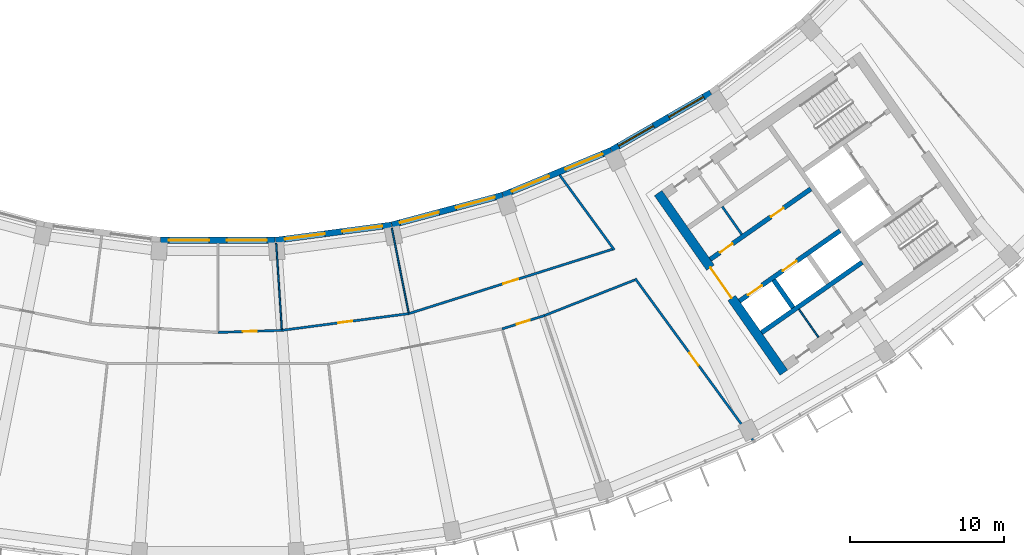
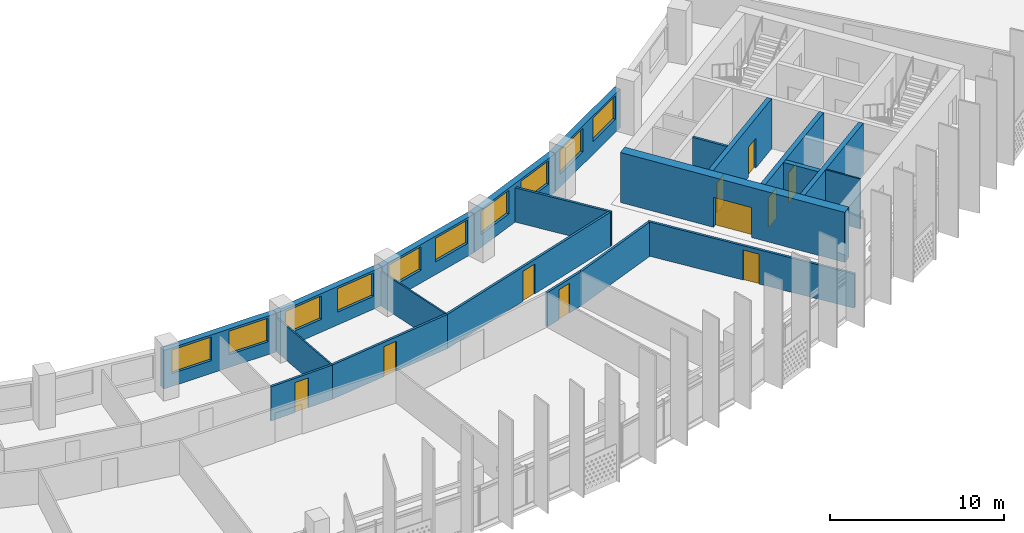
# One storey, part 6 of 28: 21 walls, 10 doors, 10 windows, 20 openings.
"""IFC4 building model written with IfcOpenShell, lengths in metres."""

from ifc_helpers import new_model, si_unit, direction, frame, frame_2d, origin, place, context, subcontext, project, spatial, rectangle, extrude, material, layer, layer_set, type_object, element, fill, save


model = new_model("IFC4")

# Units and contexts
model_context = context("Model", 3, precision=1e-05, world=origin(), true_north=direction((0.0, 1.0)))
body_context = subcontext(model_context, "Body", "Model", "MODEL_VIEW")
ifc_project = project(units=[si_unit("LENGTHUNIT", "METRE"), si_unit("AREAUNIT", "SQUARE_METRE"), si_unit("VOLUMEUNIT", "CUBIC_METRE"), si_unit("PLANEANGLEUNIT", "RADIAN"), si_unit("MASSUNIT", "GRAM", prefix="KILO")], contexts=[model_context])

# Site, building, storey
site_placement = place(None, origin())
site = spatial("IfcSite", under=ifc_project, at=site_placement, CompositionType="ELEMENT")
building_placement = place(site_placement, origin())
building = spatial("IfcBuilding", under=site, at=building_placement, Name="Qamariyya Broadcast Tower", CompositionType="ELEMENT")
storey_placement = place(building_placement, frame((0.0, 0.0, 241.699951171875)))
storey = spatial("IfcBuildingStorey", under=building, at=storey_placement, Name="L58", CompositionType="ELEMENT", Elevation=241.699951171875)

# Wall, opening, door
ifc_material_1 = material(Name="Concrete C60/75", Category="concrete")
ifc_layer_1 = layer(ifc_material_1, 0.60009765625)
ifc_layer_set_1 = layer_set([ifc_layer_1], Name="Core wall 600 mm Concrete C60/75")
wall_type_1 = type_object("IfcWallType", Name="Core wall 600 mm Concrete C60/75", PredefinedType="SHEAR", material=ifc_layer_set_1)
wall_1_placement = place(storey_placement, frame((36.66748046875, -66.005126953125, 0.0), z_axis=(0.0, 0.0, 1.0), x_axis=(-0.573568499524, 0.819157601658, 0.0)))
wall_1 = element("IfcWall", 1, at=wall_1_placement, inside=storey, type_object=wall_type_1, Name="k-E-L58-WA", PredefinedType="SHEAR", context=body_context, shape_type="SweptSolid", body=[
    extrude(rectangle(XDim=14.19970703125, YDim=0.60009765625, at=frame_2d((7.099853515625, 0.0))), origin(), (0.0, 0.0, 1.0), 3.5),
])
opening_1_placement = place(wall_1_placement, frame((5.89990234375, 0.0, 0.0)))
opening_1 = element("IfcOpeningElement", 2, at=opening_1_placement, cuts=wall_1, Name="Opening KD3-E1", PredefinedType="OPENING", context=body_context, shape_type="SweptSolid", body=[
    extrude(rectangle(XDim=2.39990234375, YDim=2.10009765625, at=frame_2d((1.199951171875, 1.050048828125))), frame((0.0, 0.31005859375, 0.0), z_axis=(0.0, -1.0, 0.0), x_axis=(1.0, 0.0, 0.0)), (0.0, 0.0, 1.0), 0.6201171875),
])
ifc_material_2 = material(Name="Steel fire-resisting door leaf", Category="steel")
door_type_1 = type_object("IfcDoorType", Name="Lift lobby door KD3", OperationType="DOUBLE_DOOR_SINGLE_SWING", PredefinedType="DOOR", material=ifc_material_2)
door_1_placement = place(opening_1_placement, origin())
door_1 = element("IfcDoor", 3, at=door_1_placement, inside=storey, type_object=door_type_1, Name="k-E-L58-WA-D1", OperationType="DOUBLE_DOOR_SINGLE_SWING", OverallHeight=2.10009765625, OverallWidth=2.39990234375, PredefinedType="DOOR", context=body_context, shape_type="SweptSolid", body=[
    extrude(rectangle(XDim=2.39990234375, YDim=2.10009765625, at=frame_2d((1.199951171875, 1.050048828125))), frame((0.0, 0.02490234375, 0.0), z_axis=(0.0, -1.0, 0.0), x_axis=(1.0, 0.0, 0.0)), (0.0, 0.0, 1.0), 0.050048828125),
])
fill(opening_1, door_1)

ifc_material_3 = material(Name="Gypsum board partition")
ifc_layer_2 = layer(ifc_material_3, 0.14990234375)
ifc_layer_set_2 = layer_set([ifc_layer_2], Name="Corridor partition 150 EI 60")
wall_type_2 = type_object("IfcWallType", Name="Corridor partition 150 EI 60", PredefinedType="PARTITIONING", material=ifc_layer_set_2)
wall_2_placement = place(storey_placement, frame((0.0, -63.39990234375, 0.0), z_axis=(0.0, 0.0, 1.0), x_axis=(0.999464584765, 0.032719165634, 0.0)))
wall_2 = element("IfcWall", 4, at=wall_2_placement, inside=storey, type_object=wall_type_2, Name="Partition L58-016", PredefinedType="PARTITIONING", context=body_context, shape_type="SweptSolid", body=[
    extrude(rectangle(XDim=4.148681640625, YDim=0.14990234375, at=frame_2d((2.07421875, 0.0))), origin(), (0.0, 0.0, 1.0), 2.400146484375),
])
opening_2_placement = place(wall_2_placement, frame((1.62451171875, 0.0, 0.0)))
opening_2 = element("IfcOpeningElement", 5, at=opening_2_placement, cuts=wall_2, Name="Opening L58-D11", PredefinedType="OPENING", context=body_context, shape_type="SweptSolid", body=[
    extrude(rectangle(XDim=0.89990234375, YDim=2.10009765625, at=frame_2d((0.449951171875, 1.050048828125))), frame((0.0, 0.0849609375, 0.0), z_axis=(0.0, -1.0, 0.0), x_axis=(1.0, 0.0, 0.0)), (0.0, 0.0, 1.0), 0.169921875),
])
ifc_material_4 = material(Name="Timber fire door leaf", Category="wood")
door_type_2 = type_object("IfcDoorType", Name="Fire door 900 x 2100 FD60", OperationType="NOTDEFINED", PredefinedType="DOOR", material=ifc_material_4)
door_2_placement = place(opening_2_placement, origin())
door_2 = element("IfcDoor", 6, at=door_2_placement, inside=storey, type_object=door_type_2, Name="Door L58-D11", OperationType="SINGLE_SWING_RIGHT", OverallHeight=2.10009765625, OverallWidth=0.89990234375, PredefinedType="DOOR", context=body_context, shape_type="SweptSolid", body=[
    extrude(rectangle(XDim=0.89990234375, YDim=2.10009765625, at=frame_2d((0.449951171875, 1.050048828125))), frame((0.0, 0.02490234375, 0.0), z_axis=(0.0, -1.0, 0.0), x_axis=(1.0, 0.0, 0.0)), (0.0, 0.0, 1.0), 0.050048828125),
])
fill(opening_2, door_2)

wall_3_placement = place(storey_placement, frame((4.146484375, -63.26416015625, 0.0), z_axis=(0.0, 0.0, 1.0), x_axis=(0.991447881484, 0.130503250152, 0.0)))
wall_3 = element("IfcWall", 7, at=wall_3_placement, inside=storey, type_object=wall_type_2, Name="Partition L58-019", PredefinedType="PARTITIONING", context=body_context, shape_type="SweptSolid", body=[
    extrude(rectangle(XDim=8.293212890625, YDim=0.14990234375, at=frame_2d((4.146484375, 0.0))), origin(), (0.0, 0.0, 1.0), 2.400146484375),
])
opening_3_placement = place(wall_3_placement, frame((3.696533203125, 0.0, 0.0)))
opening_3 = element("IfcOpeningElement", 8, at=opening_3_placement, cuts=wall_3, Name="Opening L58-D12", PredefinedType="OPENING", context=body_context, shape_type="SweptSolid", body=[
    extrude(rectangle(XDim=0.89990234375, YDim=2.10009765625, at=frame_2d((0.449951171875, 1.050048828125))), frame((0.0, 0.0849609375, 0.0), z_axis=(0.0, -1.0, 0.0), x_axis=(1.0, 0.0, 0.0)), (0.0, 0.0, 1.0), 0.169921875),
])
door_3_placement = place(opening_3_placement, origin())
door_3 = element("IfcDoor", 9, at=door_3_placement, inside=storey, type_object=door_type_2, Name="Door L58-D12", OperationType="SINGLE_SWING_RIGHT", OverallHeight=2.10009765625, OverallWidth=0.89990234375, PredefinedType="DOOR", context=body_context, shape_type="SweptSolid", body=[
    extrude(rectangle(XDim=0.89990234375, YDim=2.10009765625, at=frame_2d((0.449951171875, 1.050048828125))), frame((0.0, 0.02490234375, 0.0), z_axis=(0.0, -1.0, 0.0), x_axis=(1.0, 0.0, 0.0)), (0.0, 0.0, 1.0), 0.050048828125),
])
fill(opening_3, door_3)

wall_4_placement = place(storey_placement, frame((12.36865234375, -62.181884765625, 0.0), z_axis=(0.0, 0.0, 1.0), x_axis=(0.95346124433, 0.30151559754, 0.0)))
wall_4 = element("IfcWall", 10, at=wall_4_placement, inside=storey, type_object=wall_type_2, Name="Partition L58-023", PredefinedType="PARTITIONING", context=body_context, shape_type="SweptSolid", body=[
    extrude(rectangle(XDim=13.83544921875, YDim=0.14990234375, at=frame_2d((6.917724609375, 0.0))), origin(), (0.0, 0.0, 1.0), 2.400146484375),
])
opening_4_placement = place(wall_4_placement, frame((6.417724609375, 0.0, 0.0)))
opening_4 = element("IfcOpeningElement", 11, at=opening_4_placement, cuts=wall_4, Name="Opening L58-D13", PredefinedType="OPENING", context=body_context, shape_type="SweptSolid", body=[
    extrude(rectangle(XDim=1.0, YDim=2.10009765625, at=frame_2d((0.5, 1.050048828125))), frame((0.0, 0.0849609375, 0.0), z_axis=(0.0, -1.0, 0.0), x_axis=(1.0, 0.0, 0.0)), (0.0, 0.0, 1.0), 0.169921875),
])
door_type_3 = type_object("IfcDoorType", Name="Fire door 1000 x 2100 FD60", OperationType="NOTDEFINED", PredefinedType="DOOR", material=ifc_material_4)
door_4_placement = place(opening_4_placement, origin())
door_4 = element("IfcDoor", 12, at=door_4_placement, inside=storey, type_object=door_type_3, Name="Door L58-D13", OperationType="SINGLE_SWING_RIGHT", OverallHeight=2.10009765625, OverallWidth=1.0, PredefinedType="DOOR", context=body_context, shape_type="SweptSolid", body=[
    extrude(rectangle(XDim=1.0, YDim=2.10009765625, at=frame_2d((0.5, 1.050048828125))), frame((0.0, 0.02490234375, 0.0), z_axis=(0.0, -1.0, 0.0), x_axis=(1.0, 0.0, 0.0)), (0.0, 0.0, 1.0), 0.050048828125),
])
fill(opening_4, door_4)

wall_5_placement = place(storey_placement, frame((21.150634765625, -62.30810546875, 0.0), z_axis=(0.0, 0.0, 1.0), x_axis=(-0.953730459195, -0.300662952827, 0.0)))
wall_5 = element("IfcWall", 13, at=wall_5_placement, inside=storey, type_object=wall_type_2, Name="Partition L58-024", PredefinedType="PARTITIONING", context=body_context, shape_type="SweptSolid", body=[
    extrude(rectangle(XDim=2.868896484375, YDim=0.14990234375, at=frame_2d((1.4345703125, 0.0))), origin(), (0.0, 0.0, 1.0), 2.400146484375),
])
opening_5_placement = place(wall_5_placement, frame((0.984619140625, 0.0, 0.0)))
opening_5 = element("IfcOpeningElement", 14, at=opening_5_placement, cuts=wall_5, Name="Opening L58-D05", PredefinedType="OPENING", context=body_context, shape_type="SweptSolid", body=[
    extrude(rectangle(XDim=0.89990234375, YDim=2.10009765625, at=frame_2d((0.449951171875, 1.050048828125))), frame((0.0, 0.0849609375, 0.0), z_axis=(0.0, -1.0, 0.0), x_axis=(1.0, 0.0, 0.0)), (0.0, 0.0, 1.0), 0.169921875),
])
door_5_placement = place(opening_5_placement, origin())
door_5 = element("IfcDoor", 15, at=door_5_placement, inside=storey, type_object=door_type_2, Name="Door L58-D05", OperationType="SINGLE_SWING_RIGHT", OverallHeight=2.10009765625, OverallWidth=0.89990234375, PredefinedType="DOOR", context=body_context, shape_type="SweptSolid", body=[
    extrude(rectangle(XDim=0.89990234375, YDim=2.10009765625, at=frame_2d((0.449951171875, 1.050048828125))), frame((0.0, 0.02490234375, 0.0), z_axis=(0.0, -1.0, 0.0), x_axis=(1.0, 0.0, 0.0)), (0.0, 0.0, 1.0), 0.050048828125),
])
fill(opening_5, door_5)

# Walls
wall_6_placement = place(storey_placement, frame((21.150634765625, -62.30810546875, 0.0), z_axis=(0.0, 0.0, 1.0), x_axis=(0.930254850636, 0.366914040162, 0.0)))
element("IfcWall", 16, at=wall_6_placement, inside=storey, type_object=wall_type_2, Name="Partition L58-025", PredefinedType="PARTITIONING", context=body_context, shape_type="SweptSolid", body=[
    extrude(rectangle(XDim=6.296630859375, YDim=0.14990234375, at=frame_2d((3.1484375, 0.0))), origin(), (0.0, 0.0, 1.0), 2.400146484375),
])
wall_7_placement = place(storey_placement, frame((22.135498046875, -53.1943359375, 0.0), z_axis=(0.0, 0.0, 1.0), x_axis=(0.589297062476, -0.807916438846, 0.0)))
element("IfcWall", 17, at=wall_7_placement, inside=storey, type_object=wall_type_2, Name="Partition L58-026", PredefinedType="PARTITIONING", context=body_context, shape_type="SweptSolid", body=[
    extrude(rectangle(XDim=6.008056640625, YDim=0.14990234375, at=frame_2d((3.00390625, 0.0))), origin(), (0.0, 0.0, 1.0), 2.400146484375),
])

# Wall, opening, door
wall_8_placement = place(storey_placement, frame((34.668212890625, -70.37744140625, 0.0), z_axis=(0.0, 0.0, 1.0), x_axis=(-0.589273648147, 0.807933516819, 0.0)))
wall_8 = element("IfcWall", 18, at=wall_8_placement, inside=storey, type_object=wall_type_2, Name="Partition L58-029", PredefinedType="PARTITIONING", context=body_context, shape_type="SweptSolid", body=[
    extrude(rectangle(XDim=12.956298828125, YDim=0.14990234375, at=frame_2d((6.47802734375, 0.0))), origin(), (0.0, 0.0, 1.0), 2.400146484375),
])
opening_6_placement = place(wall_8_placement, frame((5.97802734375, 0.0, 0.0)))
opening_6 = element("IfcOpeningElement", 19, at=opening_6_placement, cuts=wall_8, Name="Opening L58-D06", PredefinedType="OPENING", context=body_context, shape_type="SweptSolid", body=[
    extrude(rectangle(XDim=1.0, YDim=2.10009765625, at=frame_2d((0.5, 1.050048828125))), frame((0.0, 0.0849609375, 0.0), z_axis=(0.0, -1.0, 0.0), x_axis=(1.0, 0.0, 0.0)), (0.0, 0.0, 1.0), 0.169921875),
])
door_6_placement = place(opening_6_placement, origin())
door_6 = element("IfcDoor", 20, at=door_6_placement, inside=storey, type_object=door_type_3, Name="Door L58-D06", OperationType="SINGLE_SWING_RIGHT", OverallHeight=2.10009765625, OverallWidth=1.0, PredefinedType="DOOR", context=body_context, shape_type="SweptSolid", body=[
    extrude(rectangle(XDim=1.0, YDim=2.10009765625, at=frame_2d((0.5, 1.050048828125))), frame((0.0, 0.02490234375, 0.0), z_axis=(0.0, -1.0, 0.0), x_axis=(1.0, 0.0, 0.0)), (0.0, 0.0, 1.0), 0.050048828125),
])
fill(opening_6, door_6)

# Wall
ifc_material_5 = material(Name="Gypsum board partition on steel studs", Category="steel")
ifc_layer_3 = layer(ifc_material_5, 0.14990234375)
ifc_layer_set_3 = layer_set([ifc_layer_3], Name="Gypsum board partition 150 mm")
wall_type_3 = type_object("IfcWallType", Name="Gypsum board partition 150 mm", PredefinedType="PARTITIONING", material=ifc_layer_set_3)
wall_9_placement = place(storey_placement, frame((33.9384765625, -57.051513671875, 0.0), z_axis=(0.0, 0.0, 1.0), x_axis=(-0.573581496053, 0.819148501424, 0.0)))
element("IfcWall", 21, at=wall_9_placement, inside=storey, type_object=wall_type_3, Name="k-E-L58-NC260", PredefinedType="PARTITIONING", context=body_context, shape_type="SweptSolid", body=[
    extrude(rectangle(XDim=2.2001953125, YDim=0.14990234375, at=frame_2d((1.10009765625, 0.0))), origin(), (0.0, 0.0, 1.0), 3.5),
])

# Wall, openings, doors
ifc_layer_4 = layer(ifc_material_1, 0.300048828125)
ifc_layer_set_4 = layer_set([ifc_layer_4], Name="Lift shaft wall 300 mm Concrete C60/75")
wall_type_4 = type_object("IfcWallType", Name="Lift shaft wall 300 mm Concrete C60/75", PredefinedType="SOLIDWALL", material=ifc_layer_set_4)
wall_10_placement = place(storey_placement, frame((31.89453125, -58.66552734375, 0.0), z_axis=(0.0, 0.0, 1.0), x_axis=(0.819166993208, 0.573555086491, 0.0)))
wall_10 = element("IfcWall", 22, at=wall_10_placement, inside=storey, type_object=wall_type_4, Name="k-E-L58-NF0", PredefinedType="SOLIDWALL", context=body_context, shape_type="SweptSolid", body=[
    extrude(rectangle(XDim=7.9501953125, YDim=0.300048828125, at=frame_2d((3.97509765625, 0.0))), origin(), (0.0, 0.0, 1.0), 3.5),
])
opening_7_placement = place(wall_10_placement, frame((0.762451171875, 0.0, 0.0)))
opening_7 = element("IfcOpeningElement", 23, at=opening_7_placement, cuts=wall_10, Name="Opening KD6-E1", PredefinedType="OPENING", context=body_context, shape_type="SweptSolid", body=[
    extrude(rectangle(XDim=1.0, YDim=2.10009765625, at=frame_2d((0.5, 1.050048828125))), frame((0.0, 0.159912109375, 0.0), z_axis=(0.0, -1.0, 0.0), x_axis=(1.0, 0.0, 0.0)), (0.0, 0.0, 1.0), 0.320068359375),
])
opening_8_placement = place(wall_10_placement, frame((4.8125, 0.0, 0.0)))
opening_8 = element("IfcOpeningElement", 24, at=opening_8_placement, cuts=wall_10, Name="Opening KD6-E2", PredefinedType="OPENING", context=body_context, shape_type="SweptSolid", body=[
    extrude(rectangle(XDim=1.0, YDim=2.10009765625, at=frame_2d((0.5, 1.050048828125))), frame((0.0, 0.159912109375, 0.0), z_axis=(0.0, -1.0, 0.0), x_axis=(1.0, 0.0, 0.0)), (0.0, 0.0, 1.0), 0.320068359375),
])
door_type_4 = type_object("IfcDoorType", Name="Core room door KD6", OperationType="SINGLE_SWING_LEFT", PredefinedType="DOOR", material=ifc_material_2)
door_7_placement = place(opening_7_placement, origin())
door_7 = element("IfcDoor", 25, at=door_7_placement, inside=storey, type_object=door_type_4, Name="k-E-L58-NF0-D2", OperationType="SINGLE_SWING_RIGHT", OverallHeight=2.10009765625, OverallWidth=1.0, PredefinedType="DOOR", context=body_context, shape_type="SweptSolid", body=[
    extrude(rectangle(XDim=1.0, YDim=2.10009765625, at=frame_2d((0.5, 1.050048828125))), frame((0.0, 0.02490234375, 0.0), z_axis=(0.0, -1.0, 0.0), x_axis=(1.0, 0.0, 0.0)), (0.0, 0.0, 1.0), 0.050048828125),
])
fill(opening_7, door_7)
door_8_placement = place(opening_8_placement, origin())
door_8 = element("IfcDoor", 26, at=door_8_placement, inside=storey, type_object=door_type_4, Name="k-E-L58-NF0-D3", OperationType="SINGLE_SWING_LEFT", OverallHeight=2.10009765625, OverallWidth=1.0, PredefinedType="DOOR", context=body_context, shape_type="SweptSolid", body=[
    extrude(rectangle(XDim=1.0, YDim=2.10009765625, at=frame_2d((0.5, 1.050048828125))), frame((0.0, 0.02490234375, 0.0), z_axis=(0.0, -1.0, 0.0), x_axis=(1.0, 0.0, 0.0)), (0.0, 0.0, 1.0), 0.050048828125),
])
fill(opening_8, door_8)

wall_11_placement = place(storey_placement, frame((33.787353515625, -61.368896484375, 0.0), z_axis=(0.0, 0.0, 1.0), x_axis=(0.819152564888, 0.573575692858, 0.0)))
wall_11 = element("IfcWall", 27, at=wall_11_placement, inside=storey, type_object=wall_type_4, Name="k-E-L58-SF0", PredefinedType="SOLIDWALL", context=body_context, shape_type="SweptSolid", body=[
    extrude(rectangle(XDim=7.9501953125, YDim=0.300048828125, at=frame_2d((3.97509765625, 0.0))), origin(), (0.0, 0.0, 1.0), 3.5),
])
opening_9_placement = place(wall_11_placement, frame((0.675048828125, 0.0, 0.0)))
opening_9 = element("IfcOpeningElement", 28, at=opening_9_placement, cuts=wall_11, Name="Opening LD", PredefinedType="OPENING", context=body_context, shape_type="SweptSolid", body=[
    extrude(rectangle(XDim=1.10009765625, YDim=2.10009765625, at=frame_2d((0.550048828125, 1.050048828125))), frame((0.0, 0.159912109375, 0.0), z_axis=(0.0, -1.0, 0.0), x_axis=(1.0, 0.0, 0.0)), (0.0, 0.0, 1.0), 0.320068359375),
])
opening_10_placement = place(wall_11_placement, frame((3.425048828125, 0.0, 0.0)))
opening_10 = element("IfcOpeningElement", 29, at=opening_10_placement, cuts=wall_11, Name="Opening LD", PredefinedType="OPENING", context=body_context, shape_type="SweptSolid", body=[
    extrude(rectangle(XDim=1.10009765625, YDim=2.10009765625, at=frame_2d((0.550048828125, 1.050048828125))), frame((0.0, 0.159912109375, 0.0), z_axis=(0.0, -1.0, 0.0), x_axis=(1.0, 0.0, 0.0)), (0.0, 0.0, 1.0), 0.320068359375),
])
door_type_5 = type_object("IfcDoorType", Name="Lift landing door LD", OperationType="DOUBLE_DOOR_SLIDING", PredefinedType="DOOR", material=ifc_material_2)
door_9_placement = place(opening_9_placement, origin())
door_9 = element("IfcDoor", 30, at=door_9_placement, inside=storey, type_object=door_type_5, Name="k-E-L58-SF0-D4", OperationType="DOUBLE_DOOR_SLIDING", OverallHeight=2.10009765625, OverallWidth=1.10009765625, PredefinedType="DOOR", context=body_context, shape_type="SweptSolid", body=[
    extrude(rectangle(XDim=1.10009765625, YDim=2.10009765625, at=frame_2d((0.550048828125, 1.050048828125))), frame((0.0, 0.02490234375, 0.0), z_axis=(0.0, -1.0, 0.0), x_axis=(1.0, 0.0, 0.0)), (0.0, 0.0, 1.0), 0.050048828125),
])
fill(opening_9, door_9)
door_10_placement = place(opening_10_placement, origin())
door_10 = element("IfcDoor", 31, at=door_10_placement, inside=storey, type_object=door_type_5, Name="k-E-L58-SF0-D5", OperationType="DOUBLE_DOOR_SLIDING", OverallHeight=2.10009765625, OverallWidth=1.10009765625, PredefinedType="DOOR", context=body_context, shape_type="SweptSolid", body=[
    extrude(rectangle(XDim=1.10009765625, YDim=2.10009765625, at=frame_2d((0.550048828125, 1.050048828125))), frame((0.0, 0.02490234375, 0.0), z_axis=(0.0, -1.0, 0.0), x_axis=(1.0, 0.0, 0.0)), (0.0, 0.0, 1.0), 0.050048828125),
])
fill(opening_10, door_10)

# Walls
wall_12_placement = place(storey_placement, frame((35.22119140625, -63.41650390625, 0.0), z_axis=(0.0, 0.0, 1.0), x_axis=(0.819166993208, 0.573555086491, 0.0)))
element("IfcWall", 32, at=wall_12_placement, inside=storey, type_object=wall_type_4, Name="k-E-L58-SB0", PredefinedType="SOLIDWALL", context=body_context, shape_type="SweptSolid", body=[
    extrude(rectangle(XDim=7.9501953125, YDim=0.300048828125, at=frame_2d((3.97509765625, 0.0))), origin(), (0.0, 0.0, 1.0), 3.5),
])
wall_13_placement = place(storey_placement, frame((36.003173828125, -60.000244140625, 0.0), z_axis=(0.0, 0.0, 1.0), x_axis=(0.573581496053, -0.819148501424, 0.0)))
element("IfcWall", 33, at=wall_13_placement, inside=storey, type_object=wall_type_4, Name="k-E-L58-SD0", PredefinedType="SOLIDWALL", context=body_context, shape_type="SweptSolid", body=[
    extrude(rectangle(XDim=2.2001953125, YDim=0.300048828125, at=frame_2d((1.10009765625, 0.0))), origin(), (0.0, 0.0, 1.0), 3.5),
])
ifc_layer_5 = layer(ifc_material_3, 0.10009765625)
ifc_layer_set_5 = layer_set([ifc_layer_5], Name="Partition 100")
wall_type_5 = type_object("IfcWallType", Name="Partition 100", PredefinedType="PARTITIONING", material=ifc_layer_set_5)
for number, where, z_axis, x_axis, name in (
    (34, (3.777099609375, -57.62646484375, 0.0), (0.0, 0.0, 1.0), (0.065382488891, -0.997860275864, 0.0), "Partition L58-018"),
    (35, (11.266357421875, -56.640380859375, 0.0), (0.0, 0.0, 1.0), (0.195097004053, -0.98078395124, 0.0), "Partition L58-022"),
):
    element("IfcWall", number, at=place(storey_placement, frame(where, z_axis=z_axis, x_axis=x_axis)), inside=storey, type_object=wall_type_5, Name=name, PredefinedType="PARTITIONING", context=body_context, shape_type="SweptSolid", body=[
        extrude(rectangle(XDim=5.574951171875, YDim=0.10009765625, at=frame_2d((2.78759765625, 0.0))), origin(), (0.0, 0.0, 1.0), 2.400146484375),
    ])
ifc_material_6 = material(Name="Fire-rated gypsum shaft liner on steel studs", Category="steel")
ifc_layer_6 = layer(ifc_material_6, 0.10009765625)
ifc_layer_set_6 = layer_set([ifc_layer_6], Name="Riser wall 100 mm")
wall_type_6 = type_object("IfcWallType", Name="Riser wall 100 mm", PredefinedType="PLUMBINGWALL", material=ifc_layer_set_6)
wall_14_placement = place(storey_placement, frame((37.64208984375, -61.90478515625, 0.0), z_axis=(0.0, 0.0, 1.0), x_axis=(0.573507030513, -0.819200638399, 0.0)))
element("IfcWall", 36, at=wall_14_placement, inside=storey, type_object=wall_type_6, Name="k-E-L58-SP285", PredefinedType="PLUMBINGWALL", context=body_context, shape_type="SweptSolid", body=[
    extrude(rectangle(XDim=2.199951171875, YDim=0.10009765625, at=frame_2d((1.10009765625, 0.0))), origin(), (0.0, 0.0, 1.0), 3.5),
])

# Wall, openings, windows
ifc_material_7 = material(Name="Terracotta", Category="masonry")
ifc_layer_7 = layer(ifc_material_7, 0.39990234375)
ifc_layer_set_7 = layer_set([ifc_layer_7], Name="Terracotta clad wall 400")
wall_type_7 = type_object("IfcWallType", Name="Terracotta clad wall 400", PredefinedType="SOLIDWALL", material=ifc_layer_set_7)
wall_15_placement = place(storey_placement, frame((18.449951171875, -54.50927734375, 0.0), z_axis=(0.0, 0.0, 1.0), x_axis=(-0.965924866111, -0.25882262851, 0.0)))
wall_15 = element("IfcWall", 37, at=wall_15_placement, inside=storey, type_object=wall_type_7, Name="e-wl-L58-in100", PredefinedType="SOLIDWALL", context=body_context, shape_type="SweptSolid", body=[
    extrude(rectangle(XDim=7.426513671875, YDim=0.39990234375, at=frame_2d((3.71337890625, 0.0))), origin(), (0.0, 0.0, 1.0), 2.699951171875),
])
opening_11_placement = place(wall_15_placement, frame((4.28857421875, 0.0, 0.89990234375)))
opening_11 = element("IfcOpeningElement", 38, at=opening_11_placement, cuts=wall_15, Name="Opening W1", PredefinedType="OPENING", context=body_context, shape_type="SweptSolid", body=[
    extrude(rectangle(XDim=2.60009765625, YDim=1.64990234375, at=frame_2d((1.300048828125, 0.824951171875))), frame((0.0, 0.2099609375, 0.0), z_axis=(0.0, -1.0, 0.0), x_axis=(1.0, 0.0, 0.0)), (0.0, 0.0, 1.0), 0.419921875),
])
opening_12_placement = place(wall_15_placement, frame((0.537841796875, 0.0, 0.89990234375)))
opening_12 = element("IfcOpeningElement", 39, at=opening_12_placement, cuts=wall_15, Name="Opening W1", PredefinedType="OPENING", context=body_context, shape_type="SweptSolid", body=[
    extrude(rectangle(XDim=2.60009765625, YDim=1.64990234375, at=frame_2d((1.300048828125, 0.824951171875))), frame((0.0, 0.2099609375, 0.0), z_axis=(0.0, -1.0, 0.0), x_axis=(1.0, 0.0, 0.0)), (0.0, 0.0, 1.0), 0.419921875),
])
ifc_material_8 = material(Name="Clear low-e double glazed unit in aluminium frame", Category="aluminium")
window_type = type_object("IfcWindowType", Name="Ribbon window 2600 x 1650", PartitioningType="SINGLE_PANEL", PredefinedType="WINDOW", material=ifc_material_8)
window_1_placement = place(opening_11_placement, origin())
window_1 = element("IfcWindow", 40, at=window_1_placement, inside=storey, type_object=window_type, Name="e-w-L58-in10-0", OverallHeight=1.64990234375, OverallWidth=2.60009765625, PartitioningType="SINGLE_PANEL", PredefinedType="WINDOW", context=body_context, shape_type="SweptSolid", body=[
    extrude(rectangle(XDim=2.60009765625, YDim=1.64990234375, at=frame_2d((1.300048828125, 0.824951171875))), frame((0.0, 0.030029296875, 0.0), z_axis=(0.0, -1.0, 0.0), x_axis=(1.0, 0.0, 0.0)), (0.0, 0.0, 1.0), 0.06005859375),
])
fill(opening_11, window_1)
window_2_placement = place(opening_12_placement, origin())
window_2 = element("IfcWindow", 41, at=window_2_placement, inside=storey, type_object=window_type, Name="e-w-L58-in10-1", OverallHeight=1.64990234375, OverallWidth=2.60009765625, PartitioningType="SINGLE_PANEL", PredefinedType="WINDOW", context=body_context, shape_type="SweptSolid", body=[
    extrude(rectangle(XDim=2.60009765625, YDim=1.64990234375, at=frame_2d((1.300048828125, 0.824951171875))), frame((0.0, 0.030029296875, 0.0), z_axis=(0.0, -1.0, 0.0), x_axis=(1.0, 0.0, 0.0)), (0.0, 0.0, 1.0), 0.06005859375),
])
fill(opening_12, window_2)

wall_16_placement = place(storey_placement, frame((25.47705078125, -51.60595703125, 0.0), z_axis=(0.0, 0.0, 1.0), x_axis=(-0.923884115122, -0.382672368777, 0.0)))
wall_16 = element("IfcWall", 42, at=wall_16_placement, inside=storey, type_object=wall_type_7, Name="e-wl-L58-in110", PredefinedType="SOLIDWALL", context=body_context, shape_type="SweptSolid", body=[
    extrude(rectangle(XDim=7.578125, YDim=0.39990234375, at=frame_2d((3.7890625, 0.0))), origin(), (0.0, 0.0, 1.0), 2.699951171875),
])
opening_13_placement = place(wall_16_placement, frame((4.364501953125, 0.0, 0.89990234375)))
opening_13 = element("IfcOpeningElement", 43, at=opening_13_placement, cuts=wall_16, Name="Opening W1", PredefinedType="OPENING", context=body_context, shape_type="SweptSolid", body=[
    extrude(rectangle(XDim=2.60009765625, YDim=1.64990234375, at=frame_2d((1.300048828125, 0.824951171875))), frame((0.0, 0.2099609375, 0.0), z_axis=(0.0, -1.0, 0.0), x_axis=(1.0, 0.0, 0.0)), (0.0, 0.0, 1.0), 0.419921875),
])
opening_14_placement = place(wall_16_placement, frame((0.613525390625, 0.0, 0.89990234375)))
opening_14 = element("IfcOpeningElement", 44, at=opening_14_placement, cuts=wall_16, Name="Opening W1", PredefinedType="OPENING", context=body_context, shape_type="SweptSolid", body=[
    extrude(rectangle(XDim=2.60009765625, YDim=1.64990234375, at=frame_2d((1.300048828125, 0.824951171875))), frame((0.0, 0.2099609375, 0.0), z_axis=(0.0, -1.0, 0.0), x_axis=(1.0, 0.0, 0.0)), (0.0, 0.0, 1.0), 0.419921875),
])
window_3_placement = place(opening_13_placement, origin())
window_3 = element("IfcWindow", 45, at=window_3_placement, inside=storey, type_object=window_type, Name="e-w-L58-in11-0", OverallHeight=1.64990234375, OverallWidth=2.60009765625, PartitioningType="SINGLE_PANEL", PredefinedType="WINDOW", context=body_context, shape_type="SweptSolid", body=[
    extrude(rectangle(XDim=2.60009765625, YDim=1.64990234375, at=frame_2d((1.300048828125, 0.824951171875))), frame((0.0, 0.030029296875, 0.0), z_axis=(0.0, -1.0, 0.0), x_axis=(1.0, 0.0, 0.0)), (0.0, 0.0, 1.0), 0.06005859375),
])
fill(opening_13, window_3)
window_4_placement = place(opening_14_placement, origin())
window_4 = element("IfcWindow", 46, at=window_4_placement, inside=storey, type_object=window_type, Name="e-w-L58-in11-1", OverallHeight=1.64990234375, OverallWidth=2.60009765625, PartitioningType="SINGLE_PANEL", PredefinedType="WINDOW", context=body_context, shape_type="SweptSolid", body=[
    extrude(rectangle(XDim=2.60009765625, YDim=1.64990234375, at=frame_2d((1.300048828125, 0.824951171875))), frame((0.0, 0.030029296875, 0.0), z_axis=(0.0, -1.0, 0.0), x_axis=(1.0, 0.0, 0.0)), (0.0, 0.0, 1.0), 0.06005859375),
])
fill(opening_14, window_4)

wall_17_placement = place(storey_placement, frame((31.929443359375, -47.876708984375, 0.0), z_axis=(0.0, 0.0, 1.0), x_axis=(-0.866021353871, -0.500007014591, 0.0)))
wall_17 = element("IfcWall", 47, at=wall_17_placement, inside=storey, type_object=wall_type_7, Name="e-wl-L58-in120", PredefinedType="SOLIDWALL", context=body_context, shape_type="SweptSolid", body=[
    extrude(rectangle(XDim=7.4267578125, YDim=0.39990234375, at=frame_2d((3.71337890625, 0.0))), origin(), (0.0, 0.0, 1.0), 2.699951171875),
])
opening_15_placement = place(wall_17_placement, frame((4.28857421875, 0.0, 0.89990234375)))
opening_15 = element("IfcOpeningElement", 48, at=opening_15_placement, cuts=wall_17, Name="Opening W1", PredefinedType="OPENING", context=body_context, shape_type="SweptSolid", body=[
    extrude(rectangle(XDim=2.60009765625, YDim=1.64990234375, at=frame_2d((1.300048828125, 0.824951171875))), frame((0.0, 0.2099609375, 0.0), z_axis=(0.0, -1.0, 0.0), x_axis=(1.0, 0.0, 0.0)), (0.0, 0.0, 1.0), 0.419921875),
])
opening_16_placement = place(wall_17_placement, frame((0.537841796875, 0.0, 0.89990234375)))
opening_16 = element("IfcOpeningElement", 49, at=opening_16_placement, cuts=wall_17, Name="Opening W1", PredefinedType="OPENING", context=body_context, shape_type="SweptSolid", body=[
    extrude(rectangle(XDim=2.60009765625, YDim=1.64990234375, at=frame_2d((1.300048828125, 0.824951171875))), frame((0.0, 0.2099609375, 0.0), z_axis=(0.0, -1.0, 0.0), x_axis=(1.0, 0.0, 0.0)), (0.0, 0.0, 1.0), 0.419921875),
])
window_5_placement = place(opening_15_placement, origin())
window_5 = element("IfcWindow", 50, at=window_5_placement, inside=storey, type_object=window_type, Name="e-w-L58-in12-0", OverallHeight=1.64990234375, OverallWidth=2.60009765625, PartitioningType="SINGLE_PANEL", PredefinedType="WINDOW", context=body_context, shape_type="SweptSolid", body=[
    extrude(rectangle(XDim=2.60009765625, YDim=1.64990234375, at=frame_2d((1.300048828125, 0.824951171875))), frame((0.0, 0.030029296875, 0.0), z_axis=(0.0, -1.0, 0.0), x_axis=(1.0, 0.0, 0.0)), (0.0, 0.0, 1.0), 0.06005859375),
])
fill(opening_15, window_5)
window_6_placement = place(opening_16_placement, origin())
window_6 = element("IfcWindow", 51, at=window_6_placement, inside=storey, type_object=window_type, Name="e-w-L58-in12-1", OverallHeight=1.64990234375, OverallWidth=2.60009765625, PartitioningType="SINGLE_PANEL", PredefinedType="WINDOW", context=body_context, shape_type="SweptSolid", body=[
    extrude(rectangle(XDim=2.60009765625, YDim=1.64990234375, at=frame_2d((1.300048828125, 0.824951171875))), frame((0.0, 0.030029296875, 0.0), z_axis=(0.0, -1.0, 0.0), x_axis=(1.0, 0.0, 0.0)), (0.0, 0.0, 1.0), 0.06005859375),
])
fill(opening_16, window_6)

wall_18_placement = place(storey_placement, frame((3.713134765625, -57.42724609375, 0.0), z_axis=(0.0, 0.0, 1.0), x_axis=(-1.0, 0.0, 0.0)))
wall_18 = element("IfcWall", 52, at=wall_18_placement, inside=storey, type_object=wall_type_7, Name="e-wl-L58-in80", PredefinedType="SOLIDWALL", context=body_context, shape_type="SweptSolid", body=[
    extrude(rectangle(XDim=7.42626953125, YDim=0.39990234375, at=frame_2d((3.713134765625, 0.0))), origin(), (0.0, 0.0, 1.0), 2.699951171875),
])
opening_17_placement = place(wall_18_placement, frame((4.28857421875, 0.0, 0.89990234375)))
opening_17 = element("IfcOpeningElement", 53, at=opening_17_placement, cuts=wall_18, Name="Opening W1", PredefinedType="OPENING", context=body_context, shape_type="SweptSolid", body=[
    extrude(rectangle(XDim=2.60009765625, YDim=1.64990234375, at=frame_2d((1.300048828125, 0.824951171875))), frame((0.0, 0.2099609375, 0.0), z_axis=(0.0, -1.0, 0.0), x_axis=(1.0, 0.0, 0.0)), (0.0, 0.0, 1.0), 0.419921875),
])
opening_18_placement = place(wall_18_placement, frame((0.537841796875, 0.0, 0.89990234375)))
opening_18 = element("IfcOpeningElement", 54, at=opening_18_placement, cuts=wall_18, Name="Opening W1", PredefinedType="OPENING", context=body_context, shape_type="SweptSolid", body=[
    extrude(rectangle(XDim=2.60009765625, YDim=1.64990234375, at=frame_2d((1.300048828125, 0.824951171875))), frame((0.0, 0.2099609375, 0.0), z_axis=(0.0, -1.0, 0.0), x_axis=(1.0, 0.0, 0.0)), (0.0, 0.0, 1.0), 0.419921875),
])
window_7_placement = place(opening_17_placement, origin())
window_7 = element("IfcWindow", 55, at=window_7_placement, inside=storey, type_object=window_type, Name="e-w-L58-in08-0", OverallHeight=1.64990234375, OverallWidth=2.60009765625, PartitioningType="SINGLE_PANEL", PredefinedType="WINDOW", context=body_context, shape_type="SweptSolid", body=[
    extrude(rectangle(XDim=2.60009765625, YDim=1.64990234375, at=frame_2d((1.300048828125, 0.824951171875))), frame((0.0, 0.030029296875, 0.0), z_axis=(0.0, -1.0, 0.0), x_axis=(1.0, 0.0, 0.0)), (0.0, 0.0, 1.0), 0.06005859375),
])
fill(opening_17, window_7)
window_8_placement = place(opening_18_placement, origin())
window_8 = element("IfcWindow", 56, at=window_8_placement, inside=storey, type_object=window_type, Name="e-w-L58-in08-1", OverallHeight=1.64990234375, OverallWidth=2.60009765625, PartitioningType="SINGLE_PANEL", PredefinedType="WINDOW", context=body_context, shape_type="SweptSolid", body=[
    extrude(rectangle(XDim=2.60009765625, YDim=1.64990234375, at=frame_2d((1.300048828125, 0.824951171875))), frame((0.0, 0.030029296875, 0.0), z_axis=(0.0, -1.0, 0.0), x_axis=(1.0, 0.0, 0.0)), (0.0, 0.0, 1.0), 0.06005859375),
])
fill(opening_18, window_8)

wall_19_placement = place(storey_placement, frame((11.252197265625, -56.44140625, 0.0), z_axis=(0.0, 0.0, 1.0), x_axis=(-0.991446288508, -0.130515351599, 0.0)))
wall_19 = element("IfcWall", 57, at=wall_19_placement, inside=storey, type_object=wall_type_7, Name="e-wl-L58-in90", PredefinedType="SOLIDWALL", context=body_context, shape_type="SweptSolid", body=[
    extrude(rectangle(XDim=7.57763671875, YDim=0.39990234375, at=frame_2d((3.788818359375, 0.0))), origin(), (0.0, 0.0, 1.0), 2.699951171875),
])
opening_19_placement = place(wall_19_placement, frame((4.364501953125, 0.0, 0.89990234375)))
opening_19 = element("IfcOpeningElement", 58, at=opening_19_placement, cuts=wall_19, Name="Opening W1", PredefinedType="OPENING", context=body_context, shape_type="SweptSolid", body=[
    extrude(rectangle(XDim=2.60009765625, YDim=1.64990234375, at=frame_2d((1.300048828125, 0.824951171875))), frame((0.0, 0.2099609375, 0.0), z_axis=(0.0, -1.0, 0.0), x_axis=(1.0, 0.0, 0.0)), (0.0, 0.0, 1.0), 0.419921875),
])
opening_20_placement = place(wall_19_placement, frame((0.613525390625, 0.0, 0.89990234375)))
opening_20 = element("IfcOpeningElement", 59, at=opening_20_placement, cuts=wall_19, Name="Opening W1", PredefinedType="OPENING", context=body_context, shape_type="SweptSolid", body=[
    extrude(rectangle(XDim=2.60009765625, YDim=1.64990234375, at=frame_2d((1.300048828125, 0.824951171875))), frame((0.0, 0.2099609375, 0.0), z_axis=(0.0, -1.0, 0.0), x_axis=(1.0, 0.0, 0.0)), (0.0, 0.0, 1.0), 0.419921875),
])
window_9_placement = place(opening_19_placement, origin())
window_9 = element("IfcWindow", 60, at=window_9_placement, inside=storey, type_object=window_type, Name="e-w-L58-in09-0", OverallHeight=1.64990234375, OverallWidth=2.60009765625, PartitioningType="SINGLE_PANEL", PredefinedType="WINDOW", context=body_context, shape_type="SweptSolid", body=[
    extrude(rectangle(XDim=2.60009765625, YDim=1.64990234375, at=frame_2d((1.300048828125, 0.824951171875))), frame((0.0, 0.030029296875, 0.0), z_axis=(0.0, -1.0, 0.0), x_axis=(1.0, 0.0, 0.0)), (0.0, 0.0, 1.0), 0.06005859375),
])
fill(opening_19, window_9)
window_10_placement = place(opening_20_placement, origin())
window_10 = element("IfcWindow", 61, at=window_10_placement, inside=storey, type_object=window_type, Name="e-w-L58-in09-1", OverallHeight=1.64990234375, OverallWidth=2.60009765625, PartitioningType="SINGLE_PANEL", PredefinedType="WINDOW", context=body_context, shape_type="SweptSolid", body=[
    extrude(rectangle(XDim=2.60009765625, YDim=1.64990234375, at=frame_2d((1.300048828125, 0.824951171875))), frame((0.0, 0.030029296875, 0.0), z_axis=(0.0, -1.0, 0.0), x_axis=(1.0, 0.0, 0.0)), (0.0, 0.0, 1.0), 0.06005859375),
])
fill(opening_20, window_10)

save(model, "model.ifc")
